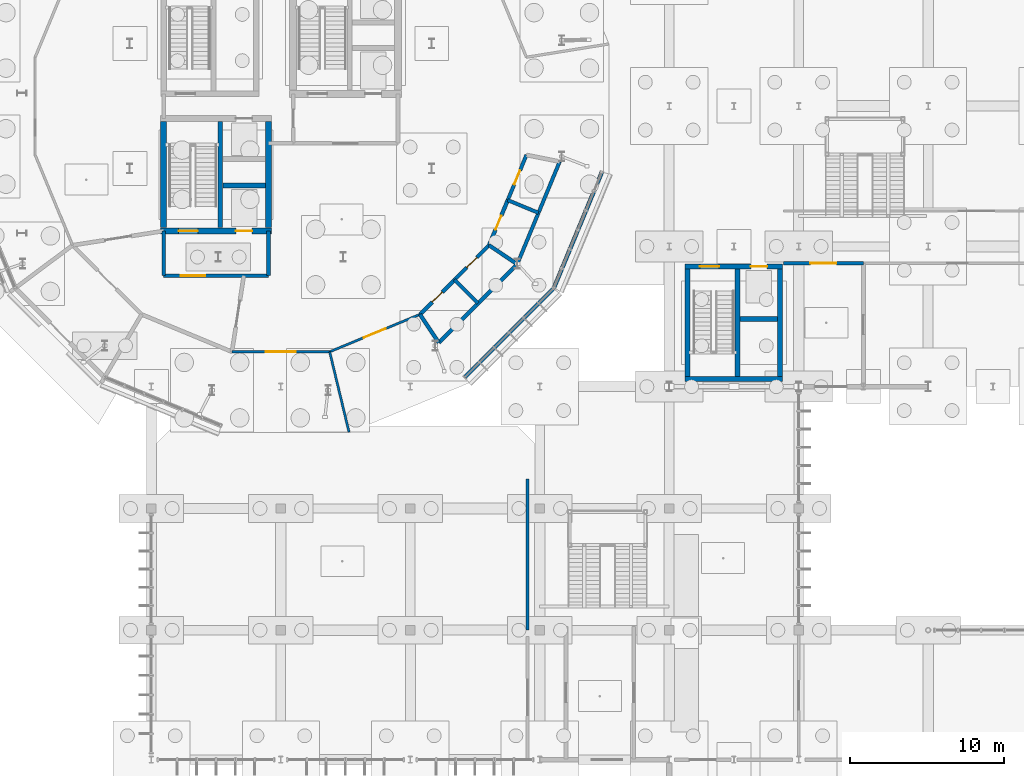
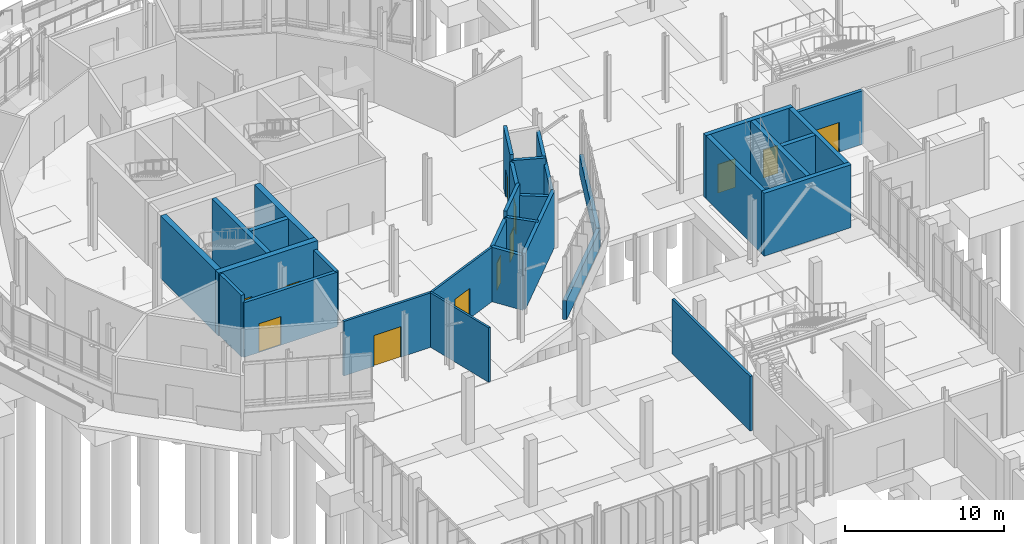
# One storey, part 81 of 119: 31 walls, 12 doors, 12 openings.
"""IFC4 building model written with IfcOpenShell, lengths in metres."""

from ifc_helpers import new_model, si_unit, derived_unit, direction, frame, frame_2d, origin, place, context, subcontext, project, spatial, rectangle, extrude, material, layer, layer_set, type_object, element, fill, save


model = new_model("IFC4")

# Units and contexts
model_context = context("Model", 3, precision=1e-05, world=origin(), true_north=direction((0.0, 1.0)))
body_context = subcontext(model_context, "Body", "Model", "MODEL_VIEW")
ifc_project = project(units=[si_unit("LENGTHUNIT", "METRE"), si_unit("AREAUNIT", "SQUARE_METRE"), si_unit("VOLUMEUNIT", "CUBIC_METRE"), si_unit("PLANEANGLEUNIT", "RADIAN"), si_unit("MASSUNIT", "GRAM", prefix="KILO"), derived_unit("THERMALTRANSMITTANCEUNIT", [(si_unit("MASSUNIT", "GRAM", prefix="KILO"), 1), (si_unit("TIMEUNIT", "SECOND"), -3), (si_unit("THERMODYNAMICTEMPERATUREUNIT", "KELVIN"), -1)])], contexts=[model_context])

# Site, building, storey
site_placement = place(None, origin())
site = spatial("IfcSite", under=ifc_project, at=site_placement, CompositionType="ELEMENT")
building_placement = place(site_placement, origin())
building = spatial("IfcBuilding", under=site, at=building_placement, Name="Makaiwela Harbour Ferry Terminal", CompositionType="ELEMENT")
storey_placement = place(building_placement, origin())
storey = spatial("IfcBuildingStorey", under=building, at=storey_placement, Name="L00", CompositionType="ELEMENT", Elevation=0.0)

# Walls
ifc_material_1 = material(Name="Precast concrete f'c 40 MPa (6000 psi)", Category="concrete")
ifc_layer_1 = layer(ifc_material_1, 0.260009765625)
ifc_layer_set_1 = layer_set([ifc_layer_1], Name="Precast concrete f'c 40 MPa (6000 psi)")
wall_type_1 = type_object("IfcWallType", Name="ENV-WL-EXT260", PredefinedType="SOLIDWALL", material=ifc_layer_set_1)
for number, where, z_axis, x_axis, name in (
    (1, (49.73828125, 50.01025390625, 0.0), (0.0, 0.0, 1.0), (0.707106781187, 0.707106781187, 0.0), "Drum Spandrel Backup Wall EW-L00-13"),
    (2, (55.5224609375, 55.810791015625, 0.0), (0.0, 0.0, 1.0), (0.382670790122, 0.923884768998, 0.0), "Drum Spandrel Backup Wall EW-L00-14"),
):
    element("IfcWall", number, at=place(storey_placement, frame(where, z_axis=z_axis, x_axis=x_axis)), inside=storey, type_object=wall_type_1, Name=name, PredefinedType="SOLIDWALL", context=body_context, shape_type="SweptSolid", body=[
        extrude(rectangle(XDim=8.1337890625, YDim=0.260009765625, at=frame_2d((4.06689453125, 0.0))), origin(), (0.0, 0.0, 1.0), 1.47998046875),
    ])

# Wall, opening, door
ifc_material_2 = material(Name="Fire-rated gypsum board on steel studs", Category="steel")
ifc_layer_2 = layer(ifc_material_2, 0.179931640625)
ifc_layer_set_2 = layer_set([ifc_layer_2], Name="Fire-rated gypsum board on steel studs")
wall_type_2 = type_object("IfcWallType", Name="INT-WL-FIR180", PredefinedType="PARTITIONING", material=ifc_layer_set_2)
wall_1_placement = place(storey_placement, frame((34.6298828125, 51.662109375, 0.0), z_axis=(0.0, 0.0, 1.0), x_axis=(1.0, 0.0, 0.0)))
wall_1 = element("IfcWall", 3, at=wall_1_placement, inside=storey, type_object=wall_type_2, Name="Interior Wall IW-0247", PredefinedType="PARTITIONING", context=body_context, shape_type="SweptSolid", body=[
    extrude(rectangle(XDim=6.34033203125, YDim=0.179931640625, at=frame_2d((3.170166015625, 0.0))), origin(), (0.0, 0.0, 1.0), 4.178955078125),
])
opening_1_placement = place(wall_1_placement, frame((2.1953125, 0.0, 0.0)))
opening_1 = element("IfcOpeningElement", 4, at=opening_1_placement, cuts=wall_1, Name="Opening D-19", PredefinedType="OPENING", context=body_context, shape_type="SweptSolid", body=[
    extrude(rectangle(XDim=1.949951171875, YDim=2.35009765625, at=frame_2d((0.97509765625, 1.175048828125))), frame((0.0, 0.099853515625, 0.0), z_axis=(0.0, -1.0, 0.0), x_axis=(1.0, 0.0, 0.0)), (0.0, 0.0, 1.0), 0.199951171875),
])
ifc_material_3 = material(Name="Solid-core marine hardwood and painted steel frame", Category="steel")
door_type_1 = type_object("IfcDoorType", Name="INT-DR-RET195", OperationType="NOTDEFINED", PredefinedType="DOOR", material=ifc_material_3)
door_1_placement = place(opening_1_placement, frame((1.949951171875, 0.0, 0.0), z_axis=(0.0, 0.0, 1.0), x_axis=(-1.0, 0.0, 0.0)))
door_1 = element("IfcDoor", 5, at=door_1_placement, inside=storey, type_object=door_type_1, Name="Door D-19", OperationType="DOUBLE_DOOR_SINGLE_SWING", OverallHeight=2.35009765625, OverallWidth=1.949951171875, PredefinedType="DOOR", context=body_context, shape_type="SweptSolid", body=[
    extrude(rectangle(XDim=1.949951171875, YDim=2.35009765625, at=frame_2d((0.97509765625, 1.175048828125))), frame((0.0, 0.02490234375, 0.0), z_axis=(0.0, -1.0, 0.0), x_axis=(1.0, 0.0, 0.0)), (0.0, 0.0, 1.0), 0.050048828125),
])
fill(opening_1, door_1)

# Wall
wall_2_placement = place(storey_placement, frame((53.800048828125, 33.60009765625, 0.0), z_axis=(0.0, 0.0, 1.0), x_axis=(0.0, 1.0, 0.0)))
element("IfcWall", 6, at=wall_2_placement, inside=storey, type_object=wall_type_2, Name="Interior Wall IW-0467", PredefinedType="PARTITIONING", context=body_context, shape_type="SweptSolid", body=[
    extrude(rectangle(XDim=9.7998046875, YDim=0.179931640625, at=frame_2d((4.89990234375, 0.0))), origin(), (0.0, 0.0, 1.0), 4.18310546875),
])

# Wall, opening, door
ifc_layer_3 = layer(ifc_material_2, 0.239990234375)
ifc_layer_set_3 = layer_set([ifc_layer_3], Name="Fire-rated gypsum board on steel studs")
wall_type_3 = type_object("IfcWallType", Name="INT-WL-FIR240", PredefinedType="SOLIDWALL", material=ifc_layer_set_3)
wall_3_placement = place(storey_placement, frame((30.199951171875, 56.60009765625, 0.0), z_axis=(0.0, 0.0, 1.0), x_axis=(1.0, 0.0, 0.0)))
wall_3 = element("IfcWall", 7, at=wall_3_placement, inside=storey, type_object=wall_type_3, Name="Interior Wall IW-0065", PredefinedType="SOLIDWALL", context=body_context, shape_type="SweptSolid", body=[
    extrude(rectangle(XDim=6.800048828125, YDim=0.239990234375, at=frame_2d((3.39990234375, 0.0))), origin(), (0.0, 0.0, 1.0), 4.178955078125),
])
opening_2_placement = place(wall_3_placement, frame((1.10400390625, 0.0, 0.0)))
opening_2 = element("IfcOpeningElement", 8, at=opening_2_placement, cuts=wall_3, Name="Opening D-03", PredefinedType="OPENING", context=body_context, shape_type="SweptSolid", body=[
    extrude(rectangle(XDim=1.60009765625, YDim=2.199951171875, at=frame_2d((0.800048828125, 1.10009765625))), frame((0.0, 0.1298828125, 0.0), z_axis=(0.0, -1.0, 0.0), x_axis=(1.0, 0.0, 0.0)), (0.0, 0.0, 1.0), 0.260009765625),
])
ifc_material_4 = material(Name="Insulated galvanised fire-rated steel leaf and frame", Category="steel")
door_type_2 = type_object("IfcDoorType", Name="INT-DR-FFL160", OperationType="NOTDEFINED", PredefinedType="DOOR", material=ifc_material_4)
door_2_placement = place(opening_2_placement, frame((1.60009765625, 0.0, 0.0), z_axis=(0.0, 0.0, 1.0), x_axis=(-1.0, 0.0, 0.0)))
door_2 = element("IfcDoor", 9, at=door_2_placement, inside=storey, type_object=door_type_2, Name="Door D-03", OperationType="DOUBLE_DOOR_SINGLE_SWING", OverallHeight=2.199951171875, OverallWidth=1.60009765625, PredefinedType="DOOR", context=body_context, shape_type="SweptSolid", body=[
    extrude(rectangle(XDim=1.60009765625, YDim=2.199951171875, at=frame_2d((0.800048828125, 1.10009765625))), frame((0.0, 0.02490234375, 0.0), z_axis=(0.0, -1.0, 0.0), x_axis=(1.0, 0.0, 0.0)), (0.0, 0.0, 1.0), 0.050048828125),
])
fill(opening_2, door_2)

# Walls
wall_4_placement = place(storey_placement, frame((30.199951171875, 59.5, 0.0), z_axis=(0.0, 0.0, 1.0), x_axis=(0.0, -1.0, 0.0)))
element("IfcWall", 10, at=wall_4_placement, inside=storey, type_object=wall_type_3, Name="Interior Wall IW-0066", PredefinedType="SOLIDWALL", context=body_context, shape_type="SweptSolid", body=[
    extrude(rectangle(XDim=2.89990234375, YDim=0.239990234375, at=frame_2d((1.449951171875, 0.0))), origin(), (0.0, 0.0, 1.0), 4.719970703125),
])
wall_5_placement = place(storey_placement, frame((37.0, 56.60009765625, 0.0), z_axis=(0.0, 0.0, 1.0), x_axis=(0.0, 1.0, 0.0)))
element("IfcWall", 11, at=wall_5_placement, inside=storey, type_object=wall_type_3, Name="Interior Wall IW-0067", PredefinedType="SOLIDWALL", context=body_context, shape_type="SweptSolid", body=[
    extrude(rectangle(XDim=2.89990234375, YDim=0.239990234375, at=frame_2d((1.449951171875, 0.0))), origin(), (0.0, 0.0, 1.0), 4.178955078125),
])

# Wall, opening, door
wall_6_placement = place(storey_placement, frame((70.39990234375, 57.39990234375, 0.0), z_axis=(0.0, 0.0, 1.0), x_axis=(1.0, 0.0, 0.0)))
wall_6 = element("IfcWall", 12, at=wall_6_placement, inside=storey, type_object=wall_type_3, Name="Interior Wall IW-0470", PredefinedType="SOLIDWALL", context=body_context, shape_type="SweptSolid", body=[
    extrude(rectangle(XDim=5.2001953125, YDim=0.239990234375, at=frame_2d((2.60009765625, 0.0))), origin(), (0.0, 0.0, 1.0), 4.10205078125),
])
opening_3_placement = place(wall_6_placement, frame((1.75, 0.0, 0.0)))
opening_3 = element("IfcOpeningElement", 13, at=opening_3_placement, cuts=wall_6, Name="Opening D-04", PredefinedType="OPENING", context=body_context, shape_type="SweptSolid", body=[
    extrude(rectangle(XDim=1.699951171875, YDim=2.25, at=frame_2d((0.85009765625, 1.125))), frame((0.0, 0.1298828125, 0.0), z_axis=(0.0, -1.0, 0.0), x_axis=(1.0, 0.0, 0.0)), (0.0, 0.0, 1.0), 0.260009765625),
])
door_type_3 = type_object("IfcDoorType", Name="INT-DR-COR170", OperationType="NOTDEFINED", PredefinedType="DOOR", material=ifc_material_4)
door_3_placement = place(opening_3_placement, frame((1.699951171875, 0.0, 0.0), z_axis=(0.0, 0.0, 1.0), x_axis=(-1.0, 0.0, 0.0)))
door_3 = element("IfcDoor", 14, at=door_3_placement, inside=storey, type_object=door_type_3, Name="Door D-04", OperationType="DOUBLE_DOOR_SINGLE_SWING", OverallHeight=2.25, OverallWidth=1.699951171875, PredefinedType="DOOR", context=body_context, shape_type="SweptSolid", body=[
    extrude(rectangle(XDim=1.699951171875, YDim=2.25, at=frame_2d((0.85009765625, 1.125))), frame((0.0, 0.02490234375, 0.0), z_axis=(0.0, -1.0, 0.0), x_axis=(1.0, 0.0, 0.0)), (0.0, 0.0, 1.0), 0.050048828125),
])
fill(opening_3, door_3)

ifc_material_5 = material(Name="Moisture-resistant acoustic gypsum partition", Category="gypsum")
ifc_layer_4 = layer(ifc_material_5, 0.22998046875)
ifc_layer_set_4 = layer_set([ifc_layer_4], Name="Moisture-resistant acoustic gypsum partition")
wall_type_4 = type_object("IfcWallType", Name="INT-WL-PLM230", PredefinedType="PLUMBINGWALL", material=ifc_layer_set_4)
wall_7_placement = place(storey_placement, frame((49.069580078125, 56.330322265625, 0.0), z_axis=(0.0, 0.0, 1.0), x_axis=(0.707106781187, 0.707106781187, 0.0)))
wall_7 = element("IfcWall", 15, at=wall_7_placement, inside=storey, type_object=wall_type_4, Name="Interior Wall IW-0250", PredefinedType="PLUMBINGWALL", context=body_context, shape_type="SweptSolid", body=[
    extrude(rectangle(XDim=3.170166015625, YDim=0.22998046875, at=frame_2d((1.5849609375, 0.0))), origin(), (0.0, 0.0, 1.0), 4.719970703125),
])
opening_4_placement = place(wall_7_placement, frame((1.125, 0.0, 0.0)))
opening_4 = element("IfcOpeningElement", 16, at=opening_4_placement, cuts=wall_7, Name="Opening D-11", PredefinedType="OPENING", context=body_context, shape_type="SweptSolid", body=[
    extrude(rectangle(XDim=0.919921875, YDim=2.10009765625, at=frame_2d((0.4599609375, 1.050048828125))), frame((0.0, 0.125, 0.0), z_axis=(0.0, -1.0, 0.0), x_axis=(1.0, 0.0, 0.0)), (0.0, 0.0, 1.0), 0.25),
])
door_type_4 = type_object("IfcDoorType", Name="INT-DR-WC092", OperationType="NOTDEFINED", PredefinedType="DOOR", material=ifc_material_3)
door_4_placement = place(opening_4_placement, frame((0.919921875, 0.0, 0.0), z_axis=(0.0, 0.0, 1.0), x_axis=(-1.0, 0.0, 0.0)))
door_4 = element("IfcDoor", 17, at=door_4_placement, inside=storey, type_object=door_type_4, Name="Door D-11", OperationType="SINGLE_SWING_RIGHT", OverallHeight=2.10009765625, OverallWidth=0.919921875, PredefinedType="DOOR", context=body_context, shape_type="SweptSolid", body=[
    extrude(rectangle(XDim=0.919921875, YDim=2.10009765625, at=frame_2d((0.4599609375, 1.050048828125))), frame((0.0, 0.02490234375, 0.0), z_axis=(0.0, -1.0, 0.0), x_axis=(1.0, 0.0, 0.0)), (0.0, 0.0, 1.0), 0.050048828125),
])
fill(opening_4, door_4)

# Wall
wall_8_placement = place(storey_placement, frame((49.069580078125, 56.330322265625, 0.0), z_axis=(0.0, 0.0, 1.0), x_axis=(0.707106781187, -0.707106781187, 0.0)))
element("IfcWall", 18, at=wall_8_placement, inside=storey, type_object=wall_type_4, Name="Interior Wall IW-0252", PredefinedType="PLUMBINGWALL", context=body_context, shape_type="SweptSolid", body=[
    extrude(rectangle(XDim=2.157958984375, YDim=0.22998046875, at=frame_2d((1.0791015625, 0.0))), origin(), (0.0, 0.0, 1.0), 4.319091796875),
])

# Wall, opening, door
wall_9_placement = place(storey_placement, frame((52.524658203125, 61.5009765625, 0.0), z_axis=(0.0, 0.0, 1.0), x_axis=(0.382689618566, 0.923876970079, 0.0)))
wall_9 = element("IfcWall", 19, at=wall_9_placement, inside=storey, type_object=wall_type_4, Name="Interior Wall IW-0255", PredefinedType="PLUMBINGWALL", context=body_context, shape_type="SweptSolid", body=[
    extrude(rectangle(XDim=3.169921875, YDim=0.22998046875, at=frame_2d((1.5849609375, 0.0))), origin(), (0.0, 0.0, 1.0), 4.719970703125),
])
opening_5_placement = place(wall_9_placement, frame((1.09521484375, 0.0, 0.0)))
opening_5 = element("IfcOpeningElement", 20, at=opening_5_placement, cuts=wall_9, Name="Opening D-12", PredefinedType="OPENING", context=body_context, shape_type="SweptSolid", body=[
    extrude(rectangle(XDim=0.97998046875, YDim=2.14990234375, at=frame_2d((0.489990234375, 1.074951171875))), frame((0.0, 0.125, 0.0), z_axis=(0.0, -1.0, 0.0), x_axis=(1.0, 0.0, 0.0)), (0.0, 0.0, 1.0), 0.25),
])
door_type_5 = type_object("IfcDoorType", Name="INT-DR-WC098", OperationType="NOTDEFINED", PredefinedType="DOOR", material=ifc_material_3)
door_5_placement = place(opening_5_placement, frame((0.97998046875, 0.0, 0.0), z_axis=(0.0, 0.0, 1.0), x_axis=(-1.0, 0.0, 0.0)))
door_5 = element("IfcDoor", 21, at=door_5_placement, inside=storey, type_object=door_type_5, Name="Door D-12", OperationType="SINGLE_SWING_RIGHT", OverallHeight=2.14990234375, OverallWidth=0.97998046875, PredefinedType="DOOR", context=body_context, shape_type="SweptSolid", body=[
    extrude(rectangle(XDim=0.97998046875, YDim=2.14990234375, at=frame_2d((0.489990234375, 1.074951171875))), frame((0.0, 0.02490234375, 0.0), z_axis=(0.0, -1.0, 0.0), x_axis=(1.0, 0.0, 0.0)), (0.0, 0.0, 1.0), 0.050048828125),
])
fill(opening_5, door_5)

# Walls
wall_10_placement = place(storey_placement, frame((53.140625, 57.349609375, 0.0), z_axis=(0.0, 0.0, 1.0), x_axis=(0.382683262556, 0.923879602849, 0.0)))
element("IfcWall", 22, at=wall_10_placement, inside=storey, type_object=wall_type_4, Name="Interior Wall IW-0256", PredefinedType="PLUMBINGWALL", context=body_context, shape_type="SweptSolid", body=[
    extrude(rectangle(XDim=7.198974609375, YDim=0.22998046875, at=frame_2d((3.599609375, 0.0))), origin(), (0.0, 0.0, 1.0), 3.844970703125),
])
wall_11_placement = place(storey_placement, frame((52.524658203125, 61.5009765625, 0.0), z_axis=(0.0, 0.0, 1.0), x_axis=(0.923881682241, -0.382678242417, 0.0)))
element("IfcWall", 23, at=wall_11_placement, inside=storey, type_object=wall_type_4, Name="Interior Wall IW-0257", PredefinedType="PLUMBINGWALL", context=body_context, shape_type="SweptSolid", body=[
    extrude(rectangle(XDim=2.15771484375, YDim=0.22998046875, at=frame_2d((1.078857421875, 0.0))), origin(), (0.0, 0.0, 1.0), 4.319091796875),
])

# Wall, opening, door
ifc_layer_5 = layer(ifc_material_5, 0.25)
ifc_layer_set_5 = layer_set([ifc_layer_5], Name="Moisture-resistant acoustic gypsum partition")
wall_type_5 = type_object("IfcWallType", Name="INT-WL-PLM250", PredefinedType="PLUMBINGWALL", material=ifc_layer_set_5)
wall_12_placement = place(storey_placement, frame((46.827880859375, 54.088623046875, 0.0), z_axis=(0.0, 0.0, 1.0), x_axis=(0.707106781187, 0.707106781187, 0.0)))
wall_12 = element("IfcWall", 24, at=wall_12_placement, inside=storey, type_object=wall_type_5, Name="Interior Wall IW-0249", PredefinedType="PLUMBINGWALL", context=body_context, shape_type="SweptSolid", body=[
    extrude(rectangle(XDim=3.170166015625, YDim=0.25, at=frame_2d((1.5849609375, 0.0))), origin(), (0.0, 0.0, 1.0), 4.178955078125),
])
opening_6_placement = place(wall_12_placement, frame((1.125, 0.0, 0.0)))
opening_6 = element("IfcOpeningElement", 25, at=opening_6_placement, cuts=wall_12, Name="Opening D-11", PredefinedType="OPENING", context=body_context, shape_type="SweptSolid", body=[
    extrude(rectangle(XDim=0.919921875, YDim=2.10009765625, at=frame_2d((0.4599609375, 1.050048828125))), frame((0.0, 0.135009765625, 0.0), z_axis=(0.0, -1.0, 0.0), x_axis=(1.0, 0.0, 0.0)), (0.0, 0.0, 1.0), 0.27001953125),
])
door_6_placement = place(opening_6_placement, frame((0.919921875, 0.0, 0.0), z_axis=(0.0, 0.0, 1.0), x_axis=(-1.0, 0.0, 0.0)))
door_6 = element("IfcDoor", 26, at=door_6_placement, inside=storey, type_object=door_type_4, Name="Door D-11", OperationType="SINGLE_SWING_LEFT", OverallHeight=2.10009765625, OverallWidth=0.919921875, PredefinedType="DOOR", context=body_context, shape_type="SweptSolid", body=[
    extrude(rectangle(XDim=0.919921875, YDim=2.10009765625, at=frame_2d((0.4599609375, 1.050048828125))), frame((0.0, 0.02490234375, 0.0), z_axis=(0.0, -1.0, 0.0), x_axis=(1.0, 0.0, 0.0)), (0.0, 0.0, 1.0), 0.050048828125),
])
fill(opening_6, door_6)

# Walls
wall_13_placement = place(storey_placement, frame((48.05029296875, 52.259521484375, 0.0), z_axis=(0.0, 0.0, 1.0), x_axis=(0.707123738387, 0.707089823579, 0.0)))
element("IfcWall", 27, at=wall_13_placement, inside=storey, type_object=wall_type_5, Name="Interior Wall IW-0251", PredefinedType="PLUMBINGWALL", context=body_context, shape_type="SweptSolid", body=[
    extrude(rectangle(XDim=7.19873046875, YDim=0.25, at=frame_2d((3.599365234375, 0.0))), origin(), (0.0, 0.0, 1.0), 4.319091796875),
])
wall_14_placement = place(storey_placement, frame((46.827880859375, 54.088623046875, 0.0), z_axis=(0.0, 0.0, 1.0), x_axis=(0.555647384729, -0.831418056, 0.0)))
element("IfcWall", 28, at=wall_14_placement, inside=storey, type_object=wall_type_5, Name="Interior Wall IW-0253", PredefinedType="PLUMBINGWALL", context=body_context, shape_type="SweptSolid", body=[
    extrude(rectangle(XDim=2.199951171875, YDim=0.25, at=frame_2d((1.10009765625, 0.0))), origin(), (0.0, 0.0, 1.0), 4.178955078125),
])

# Wall, opening, door
wall_15_placement = place(storey_placement, frame((51.311279296875, 58.572021484375, 0.0), z_axis=(0.0, 0.0, 1.0), x_axis=(0.38272812134, 0.923861020466, 0.0)))
wall_15 = element("IfcWall", 29, at=wall_15_placement, inside=storey, type_object=wall_type_5, Name="Interior Wall IW-0254", PredefinedType="PLUMBINGWALL", context=body_context, shape_type="SweptSolid", body=[
    extrude(rectangle(XDim=3.17041015625, YDim=0.25, at=frame_2d((1.585205078125, 0.0))), origin(), (0.0, 0.0, 1.0), 4.178955078125),
])
opening_7_placement = place(wall_15_placement, frame((1.09521484375, 0.0, 0.0)))
opening_7 = element("IfcOpeningElement", 30, at=opening_7_placement, cuts=wall_15, Name="Opening D-12", PredefinedType="OPENING", context=body_context, shape_type="SweptSolid", body=[
    extrude(rectangle(XDim=0.97998046875, YDim=2.14990234375, at=frame_2d((0.489990234375, 1.074951171875))), frame((0.0, 0.135009765625, 0.0), z_axis=(0.0, -1.0, 0.0), x_axis=(1.0, 0.0, 0.0)), (0.0, 0.0, 1.0), 0.27001953125),
])
door_7_placement = place(opening_7_placement, frame((0.97998046875, 0.0, 0.0), z_axis=(0.0, 0.0, 1.0), x_axis=(-1.0, 0.0, 0.0)))
door_7 = element("IfcDoor", 31, at=door_7_placement, inside=storey, type_object=door_type_5, Name="Door D-12", OperationType="SINGLE_SWING_LEFT", OverallHeight=2.14990234375, OverallWidth=0.97998046875, PredefinedType="DOOR", context=body_context, shape_type="SweptSolid", body=[
    extrude(rectangle(XDim=0.97998046875, YDim=2.14990234375, at=frame_2d((0.489990234375, 1.074951171875))), frame((0.0, 0.02490234375, 0.0), z_axis=(0.0, -1.0, 0.0), x_axis=(1.0, 0.0, 0.0)), (0.0, 0.0, 1.0), 0.050048828125),
])
fill(opening_7, door_7)

# Wall
wall_16_placement = place(storey_placement, frame((51.311279296875, 58.572021484375, 0.0), z_axis=(0.0, 0.0, 1.0), x_axis=(0.831452313852, -0.555596121107, 0.0)))
element("IfcWall", 32, at=wall_16_placement, inside=storey, type_object=wall_type_5, Name="Interior Wall IW-0258", PredefinedType="PLUMBINGWALL", context=body_context, shape_type="SweptSolid", body=[
    extrude(rectangle(XDim=2.2001953125, YDim=0.25, at=frame_2d((1.10009765625, 0.0))), origin(), (0.0, 0.0, 1.0), 3.844970703125),
])

# Wall, opening, door
ifc_layer_6 = layer(ifc_material_5, 0.14990234375)
ifc_layer_set_6 = layer_set([ifc_layer_6], Name="Moisture-resistant acoustic gypsum partition")
wall_type_6 = type_object("IfcWallType", Name="INT-WL-PRT150", PredefinedType="PARTITIONING", material=ifc_layer_set_6)
wall_17_placement = place(storey_placement, frame((40.97021484375, 51.662109375, 0.0), z_axis=(0.0, 0.0, 1.0), x_axis=(0.923868995071, 0.382708871005, 0.0)))
wall_17 = element("IfcWall", 33, at=wall_17_placement, inside=storey, type_object=wall_type_6, Name="Interior Wall IW-0248", PredefinedType="PARTITIONING", context=body_context, shape_type="SweptSolid", body=[
    extrude(rectangle(XDim=6.34033203125, YDim=0.14990234375, at=frame_2d((3.170166015625, 0.0))), origin(), (0.0, 0.0, 1.0), 4.178955078125),
])
opening_8_placement = place(wall_17_placement, frame((2.395263671875, 0.0, 0.0)))
opening_8 = element("IfcOpeningElement", 34, at=opening_8_placement, cuts=wall_17, Name="Opening D-21", PredefinedType="OPENING", context=body_context, shape_type="SweptSolid", body=[
    extrude(rectangle(XDim=1.550048828125, YDim=2.300048828125, at=frame_2d((0.77490234375, 1.14990234375))), frame((0.0, 0.0849609375, 0.0), z_axis=(0.0, -1.0, 0.0), x_axis=(1.0, 0.0, 0.0)), (0.0, 0.0, 1.0), 0.169921875),
])
door_type_6 = type_object("IfcDoorType", Name="INT-DR-VIP155", OperationType="NOTDEFINED", PredefinedType="DOOR", material=ifc_material_3)
door_8_placement = place(opening_8_placement, frame((1.550048828125, 0.0, 0.0), z_axis=(0.0, 0.0, 1.0), x_axis=(-1.0, 0.0, 0.0)))
door_8 = element("IfcDoor", 35, at=door_8_placement, inside=storey, type_object=door_type_6, Name="Door D-21", OperationType="DOUBLE_DOOR_SINGLE_SWING", OverallHeight=2.300048828125, OverallWidth=1.550048828125, PredefinedType="DOOR", context=body_context, shape_type="SweptSolid", body=[
    extrude(rectangle(XDim=1.550048828125, YDim=2.300048828125, at=frame_2d((0.77490234375, 1.14990234375))), frame((0.0, 0.02490234375, 0.0), z_axis=(0.0, -1.0, 0.0), x_axis=(1.0, 0.0, 0.0)), (0.0, 0.0, 1.0), 0.050048828125),
])
fill(opening_8, door_8)

# Walls
wall_18_placement = place(storey_placement, frame((40.97021484375, 51.662109375, 0.0), z_axis=(0.0, 0.0, 1.0), x_axis=(0.234435715289, -0.972131624523, 0.0)))
element("IfcWall", 36, at=wall_18_placement, inside=storey, type_object=wall_type_6, Name="Interior Wall IW-0266", PredefinedType="PARTITIONING", context=body_context, shape_type="SweptSolid", body=[
    extrude(rectangle(XDim=5.360107421875, YDim=0.14990234375, at=frame_2d((2.68017578125, 0.0))), origin(), (0.0, 0.0, 1.0), 4.178955078125),
])
ifc_material_6 = material(Name="Concrete f'c 45 MPa (6500 psi)", Category="concrete")
ifc_layer_7 = layer(ifc_material_6, 0.320068359375)
ifc_layer_set_7 = layer_set([ifc_layer_7], Name="Concrete f'c 45 MPa (6500 psi)")
wall_type_7 = type_object("IfcWallType", Name="INT-WL-SHR320", PredefinedType="SHEAR", material=ifc_layer_set_7)
wall_19_placement = place(storey_placement, frame((33.8720703125, 59.7099609375, 0.0), z_axis=(0.0, 0.0, 1.0), x_axis=(0.0, 1.0, 0.0)))
element("IfcWall", 37, at=wall_19_placement, inside=storey, type_object=wall_type_7, Name="Interior Wall IW-0072", PredefinedType="SHEAR", context=body_context, shape_type="SweptSolid", body=[
    extrude(rectangle(XDim=6.880126953125, YDim=0.320068359375, at=frame_2d((3.43994140625, 0.0))), origin(), (0.0, 0.0, 1.0), 4.820068359375),
])
wall_20_placement = place(storey_placement, frame((34.037109375, 62.43994140625, 0.0), z_axis=(0.0, 0.0, 1.0), x_axis=(1.0, 0.0, 0.0)))
element("IfcWall", 38, at=wall_20_placement, inside=storey, type_object=wall_type_7, Name="Interior Wall IW-0073", PredefinedType="SHEAR", context=body_context, shape_type="SweptSolid", body=[
    extrude(rectangle(XDim=2.7578125, YDim=0.320068359375, at=frame_2d((1.37890625, 0.0))), origin(), (0.0, 0.0, 1.0), 4.820068359375),
])
wall_21_placement = place(storey_placement, frame((64.0400390625, 49.89990234375, 0.0), z_axis=(0.0, 0.0, 1.0), x_axis=(1.0, 0.0, 0.0)))
element("IfcWall", 39, at=wall_21_placement, inside=storey, type_object=wall_type_7, Name="Interior Wall IW-0166", PredefinedType="SHEAR", context=body_context, shape_type="SweptSolid", body=[
    extrude(rectangle(XDim=6.320068359375, YDim=0.320068359375, at=frame_2d((3.16015625, 0.0))), origin(), (0.0, 0.0, 1.0), 4.820068359375),
])

# Wall, openings, doors
wall_22_placement = place(storey_placement, frame((64.0400390625, 57.199951171875, 0.0), z_axis=(0.0, 0.0, 1.0), x_axis=(1.0, 0.0, 0.0)))
wall_22 = element("IfcWall", 40, at=wall_22_placement, inside=storey, type_object=wall_type_7, Name="Interior Wall IW-0167", PredefinedType="SHEAR", context=body_context, shape_type="SweptSolid", body=[
    extrude(rectangle(XDim=6.320068359375, YDim=0.320068359375, at=frame_2d((3.16015625, 0.0))), origin(), (0.0, 0.0, 1.0), 4.820068359375),
])
opening_9_placement = place(wall_22_placement, frame((0.955078125, 0.0, 0.0)))
opening_9 = element("IfcOpeningElement", 41, at=opening_9_placement, cuts=wall_22, Name="Opening D-02", PredefinedType="OPENING", context=body_context, shape_type="SweptSolid", body=[
    extrude(rectangle(XDim=1.25, YDim=2.199951171875, at=frame_2d((0.625, 1.10009765625))), frame((0.0, 0.169921875, 0.0), z_axis=(0.0, -1.0, 0.0), x_axis=(1.0, 0.0, 0.0)), (0.0, 0.0, 1.0), 0.340087890625),
])
opening_10_placement = place(wall_22_placement, frame((4.2548828125, 0.0, 0.0)))
opening_10 = element("IfcOpeningElement", 42, at=opening_10_placement, cuts=wall_22, Name="Opening LD-01", PredefinedType="OPENING", context=body_context, shape_type="SweptSolid", body=[
    extrude(rectangle(XDim=1.050048828125, YDim=2.14990234375, at=frame_2d((0.52490234375, 1.074951171875))), frame((0.0, 0.169921875, 0.0), z_axis=(0.0, -1.0, 0.0), x_axis=(1.0, 0.0, 0.0)), (0.0, 0.0, 1.0), 0.340087890625),
])
ifc_material_7 = material(Name="Marine grade 316L brushed stainless steel", Category="steel")
door_type_7 = type_object("IfcDoorType", Name="INT-DR-LD105", OperationType="NOTDEFINED", PredefinedType="DOOR", material=ifc_material_7)
door_9_placement = place(opening_10_placement, origin())
door_9 = element("IfcDoor", 43, at=door_9_placement, inside=storey, type_object=door_type_7, Name="Door LD-01", OperationType="DOUBLE_DOOR_SLIDING", OverallHeight=2.14990234375, OverallWidth=1.050048828125, PredefinedType="DOOR", context=body_context, shape_type="SweptSolid", body=[
    extrude(rectangle(XDim=1.050048828125, YDim=2.14990234375, at=frame_2d((0.52490234375, 1.074951171875))), frame((0.0, 0.02490234375, 0.0), z_axis=(0.0, -1.0, 0.0), x_axis=(1.0, 0.0, 0.0)), (0.0, 0.0, 1.0), 0.050048828125),
])
fill(opening_10, door_9)
door_type_8 = type_object("IfcDoorType", Name="INT-DR-ST125", OperationType="NOTDEFINED", PredefinedType="DOOR", material=ifc_material_4)
door_10_placement = place(opening_9_placement, origin())
door_10 = element("IfcDoor", 44, at=door_10_placement, inside=storey, type_object=door_type_8, Name="Door D-02", OperationType="SINGLE_SWING_RIGHT", OverallHeight=2.199951171875, OverallWidth=1.25, PredefinedType="DOOR", context=body_context, shape_type="SweptSolid", body=[
    extrude(rectangle(XDim=1.25, YDim=2.199951171875, at=frame_2d((0.625, 1.10009765625))), frame((0.0, 0.02490234375, 0.0), z_axis=(0.0, -1.0, 0.0), x_axis=(1.0, 0.0, 0.0)), (0.0, 0.0, 1.0), 0.050048828125),
])
fill(opening_9, door_10)

# Walls
for number, where, z_axis, x_axis, name in (
    (45, (64.199951171875, 50.070068359375, 0.0), (0.0, 0.0, 1.0), (0.0, 1.0, 0.0), "Interior Wall IW-0168"),
    (46, (70.199951171875, 50.070068359375, 0.0), (0.0, 0.0, 1.0), (0.0, 1.0, 0.0), "Interior Wall IW-0169"),
    (47, (67.43994140625, 50.070068359375, 0.0), (0.0, 0.0, 1.0), (0.0, 1.0, 0.0), "Interior Wall IW-0170"),
):
    element("IfcWall", number, at=place(storey_placement, frame(where, z_axis=z_axis, x_axis=x_axis)), inside=storey, type_object=wall_type_7, Name=name, PredefinedType="SHEAR", context=body_context, shape_type="SweptSolid", body=[
        extrude(rectangle(XDim=6.9599609375, YDim=0.320068359375, at=frame_2d((3.47998046875, 0.0))), origin(), (0.0, 0.0, 1.0), 4.820068359375),
    ])
wall_23_placement = place(storey_placement, frame((67.60498046875, 53.800048828125, 0.0), z_axis=(0.0, 0.0, 1.0), x_axis=(1.0, 0.0, 0.0)))
element("IfcWall", 48, at=wall_23_placement, inside=storey, type_object=wall_type_7, Name="Interior Wall IW-0171", PredefinedType="SHEAR", context=body_context, shape_type="SweptSolid", body=[
    extrude(rectangle(XDim=2.429931640625, YDim=0.320068359375, at=frame_2d((1.21484375, 0.0))), origin(), (0.0, 0.0, 1.0), 4.820068359375),
])

# Wall, openings, doors
ifc_layer_8 = layer(ifc_material_6, 0.39990234375)
ifc_layer_set_8 = layer_set([ifc_layer_8], Name="Concrete f'c 45 MPa (6500 psi)")
wall_type_8 = type_object("IfcWallType", Name="INT-WL-SHR400", PredefinedType="SHEAR", material=ifc_layer_set_8)
wall_24_placement = place(storey_placement, frame((30.0, 59.5, 0.0), z_axis=(0.0, 0.0, 1.0), x_axis=(1.0, 0.0, 0.0)))
wall_24 = element("IfcWall", 49, at=wall_24_placement, inside=storey, type_object=wall_type_8, Name="Interior Wall IW-0068", PredefinedType="SHEAR", context=body_context, shape_type="SweptSolid", body=[
    extrude(rectangle(XDim=7.199951171875, YDim=0.39990234375, at=frame_2d((3.60009765625, 0.0))), origin(), (0.0, 0.0, 1.0), 4.820068359375),
])
opening_11_placement = place(wall_24_placement, frame((1.175048828125, 0.0, 0.0)))
opening_11 = element("IfcOpeningElement", 50, at=opening_11_placement, cuts=wall_24, Name="Opening D-02", PredefinedType="OPENING", context=body_context, shape_type="SweptSolid", body=[
    extrude(rectangle(XDim=1.25, YDim=2.199951171875, at=frame_2d((0.625, 1.10009765625))), frame((0.0, 0.2099609375, 0.0), z_axis=(0.0, -1.0, 0.0), x_axis=(1.0, 0.0, 0.0)), (0.0, 0.0, 1.0), 0.419921875),
])
opening_12_placement = place(wall_24_placement, frame((4.890869140625, 0.0, 0.0)))
opening_12 = element("IfcOpeningElement", 51, at=opening_12_placement, cuts=wall_24, Name="Opening LD-01", PredefinedType="OPENING", context=body_context, shape_type="SweptSolid", body=[
    extrude(rectangle(XDim=1.050048828125, YDim=2.14990234375, at=frame_2d((0.52490234375, 1.074951171875))), frame((0.0, 0.2099609375, 0.0), z_axis=(0.0, -1.0, 0.0), x_axis=(1.0, 0.0, 0.0)), (0.0, 0.0, 1.0), 0.419921875),
])
door_11_placement = place(opening_12_placement, frame((1.050048828125, 0.0, 0.0), z_axis=(0.0, 0.0, 1.0), x_axis=(-1.0, 0.0, 0.0)))
door_11 = element("IfcDoor", 52, at=door_11_placement, inside=storey, type_object=door_type_7, Name="Door LD-01", OperationType="DOUBLE_DOOR_SLIDING", OverallHeight=2.14990234375, OverallWidth=1.050048828125, PredefinedType="DOOR", context=body_context, shape_type="SweptSolid", body=[
    extrude(rectangle(XDim=1.050048828125, YDim=2.14990234375, at=frame_2d((0.52490234375, 1.074951171875))), frame((0.0, 0.02490234375, 0.0), z_axis=(0.0, -1.0, 0.0), x_axis=(1.0, 0.0, 0.0)), (0.0, 0.0, 1.0), 0.050048828125),
])
fill(opening_12, door_11)
door_12_placement = place(opening_11_placement, frame((1.25, 0.0, 0.0), z_axis=(0.0, 0.0, 1.0), x_axis=(-1.0, 0.0, 0.0)))
door_12 = element("IfcDoor", 53, at=door_12_placement, inside=storey, type_object=door_type_8, Name="Door D-02", OperationType="SINGLE_SWING_LEFT", OverallHeight=2.199951171875, OverallWidth=1.25, PredefinedType="DOOR", context=body_context, shape_type="SweptSolid", body=[
    extrude(rectangle(XDim=1.25, YDim=2.199951171875, at=frame_2d((0.625, 1.10009765625))), frame((0.0, 0.02490234375, 0.0), z_axis=(0.0, -1.0, 0.0), x_axis=(1.0, 0.0, 0.0)), (0.0, 0.0, 1.0), 0.050048828125),
])
fill(opening_11, door_12)

# Walls
for number, where, z_axis, x_axis, name in (
    (54, (30.199951171875, 59.7099609375, 0.0), (0.0, 0.0, 1.0), (0.0, 1.0, 0.0), "Interior Wall IW-0070"),
    (55, (37.0, 59.7099609375, 0.0), (0.0, 0.0, 1.0), (0.0, 1.0, 0.0), "Interior Wall IW-0071"),
):
    element("IfcWall", number, at=place(storey_placement, frame(where, z_axis=z_axis, x_axis=x_axis)), inside=storey, type_object=wall_type_8, Name=name, PredefinedType="SHEAR", context=body_context, shape_type="SweptSolid", body=[
        extrude(rectangle(XDim=6.880126953125, YDim=0.39990234375, at=frame_2d((3.43994140625, 0.0))), origin(), (0.0, 0.0, 1.0), 4.820068359375),
    ])

save(model, "model.ifc")
